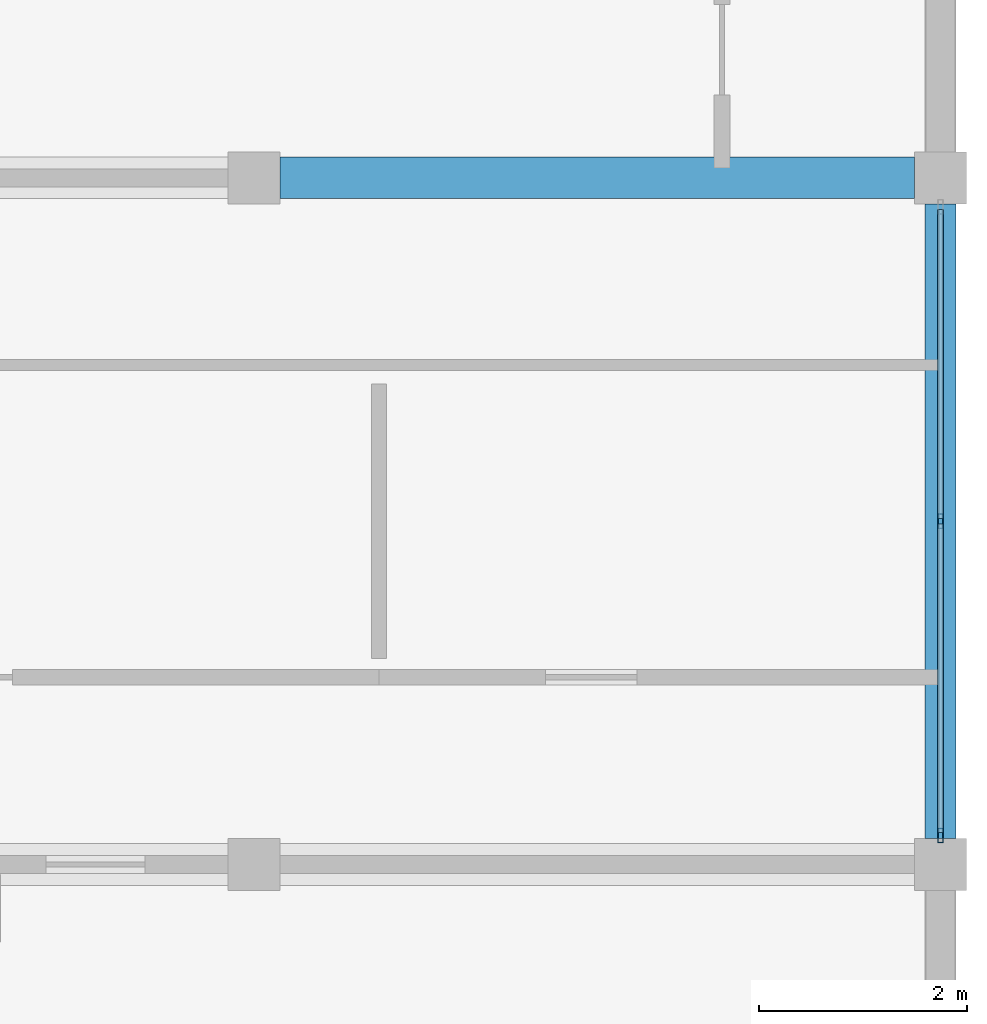
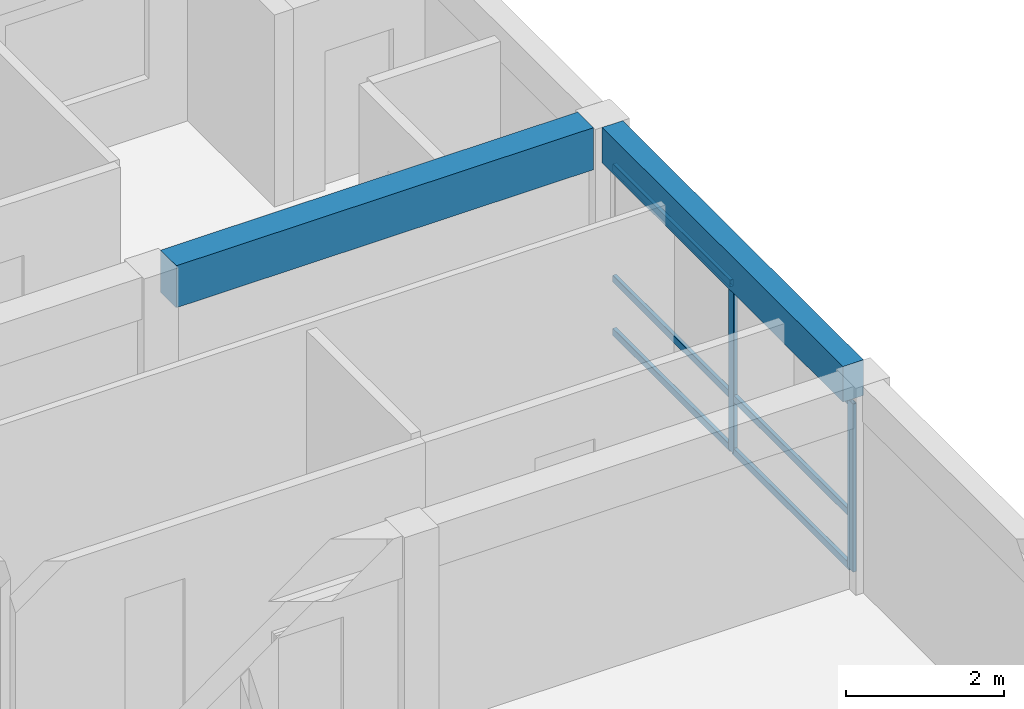
# One storey, part 22 of 49: 8 members, 2 beams, 1 element without a shape of its own.
"""IFC4 building model written with IfcOpenShell, lengths in metres."""

import ifcopenshell
import ifcopenshell.guid

model = None  # the IFC model being written
_history = None  # IfcOwnerHistory: only IFC2X3 demands one
_inside = {}  # id of a spatial element -> (the spatial element, [elements in it])
_under = {}  # id of a project, library or spatial element -> (it, [spatial elements below it])
_declared = {}  # id of a project -> (the project, [libraries it declares])
_typed = {}  # id of a type object -> (the type object, [elements of that type])
_made_of = {}  # id of a material, layer set ... -> (it, [elements and type objects made of it])


def new_model(schema):
    """Start an empty IFC model of exactly this schema.

    Asked for "IFC4X3", IfcOpenShell would pick the latest addendum, in which some entities
    have other attributes; the version numbers below select the first issue.
    IFC2X3 requires an IfcOwnerHistory on every rooted entity: one is made here for all.
    """
    global model, _history
    if schema == "IFC4X3":
        model = ifcopenshell.file(schema_version=(4, 3, 0, 0))
    else:
        model = ifcopenshell.file(schema=schema)
    _inside.clear()
    _under.clear()
    _declared.clear()
    _typed.clear()
    _made_of.clear()
    _history = None
    if model.schema == "IFC2X3":
        org = make("IfcOrganization", Name="unknown")
        user = make(
            "IfcPersonAndOrganization",
            ThePerson=make("IfcPerson", FamilyName="unknown"),
            TheOrganization=org,
        )
        app = make(
            "IfcApplication",
            ApplicationDeveloper=org,
            Version="unknown",
            ApplicationFullName="unknown",
            ApplicationIdentifier="unknown",
        )
        _history = make(
            "IfcOwnerHistory",
            OwningUser=user,
            OwningApplication=app,
            ChangeAction="ADDED",
            CreationDate=0,
        )
    return model


def make(cls, **values):
    """One entity of the class cls with the attributes given. An attribute that is None is left unset."""
    return model.create_entity(
        cls, **{name: value for name, value in values.items() if value is not None}
    )


def rooted(cls, **values):
    """An entity with a GlobalId (a new one), such as an element, a storey or a relation."""
    return make(cls, GlobalId=ifcopenshell.guid.new(), OwnerHistory=_history, **values)


def si_unit(unit_type, name, prefix=None):
    """IfcSIUnit, for example si_unit("LENGTHUNIT", "METRE", prefix="MILLI")."""
    return make("IfcSIUnit", UnitType=unit_type, Prefix=prefix, Name=name)


def assignment(units):
    """IfcUnitAssignment: the units of a project."""
    return None if units is None else make("IfcUnitAssignment", Units=units)


def point(xyz):
    """IfcCartesianPoint."""
    return None if xyz is None else make("IfcCartesianPoint", Coordinates=xyz)


def direction(xyz):
    """IfcDirection."""
    return None if xyz is None else make("IfcDirection", DirectionRatios=xyz)


def frame(location, z_axis=None, x_axis=None):
    """IfcAxis2Placement3D, a coordinate frame: its origin and axes. An axis left out is left unset."""
    return make(
        "IfcAxis2Placement3D",
        Location=point(location),
        Axis=direction(z_axis),
        RefDirection=direction(x_axis),
    )


def frame_2d(location, x_axis=None):
    """IfcAxis2Placement2D, a coordinate frame in the plane: its origin and x axis."""
    return make(
        "IfcAxis2Placement2D", Location=point(location), RefDirection=direction(x_axis)
    )


def origin():
    """The frame at (0, 0, 0) with its axes left unset."""
    return frame((0.0, 0.0, 0.0))


def origin_2d():
    """The frame at (0, 0) in the plane with its x axis left unset."""
    return frame_2d((0.0, 0.0))


def place(relative_to, where):
    """IfcLocalPlacement: puts the frame where relative to a parent placement (None: the world)."""
    return make(
        "IfcLocalPlacement", PlacementRelTo=relative_to, RelativePlacement=where
    )


def context(
    kind, dimensions, precision=None, world=None, true_north=None, identifier=None
):
    """IfcGeometricRepresentationContext, for example the 3D "Model" context."""
    return make(
        "IfcGeometricRepresentationContext",
        ContextIdentifier=identifier,
        ContextType=kind,
        CoordinateSpaceDimension=dimensions,
        Precision=precision,
        WorldCoordinateSystem=world,
        TrueNorth=true_north,
    )


def subcontext(parent, identifier, kind, view, scale=None):
    """IfcGeometricRepresentationSubContext, for example "Body" below "Model"."""
    return make(
        "IfcGeometricRepresentationSubContext",
        ContextIdentifier=identifier,
        ContextType=kind,
        ParentContext=parent,
        TargetScale=scale,
        TargetView=view,
    )


def project(units=None, contexts=None):
    """IfcProject with its units and contexts."""
    return rooted(
        "IfcProject",
        Name="project",
        RepresentationContexts=contexts,
        UnitsInContext=assignment(units),
    )


def spatial(cls, under=None, at=None, **own):
    """A site, building, storey or space (cls), placed at a placement, below another one or the project."""
    s = rooted(cls, ObjectPlacement=at, **own)
    if under is not None:
        _under.setdefault(under.id(), (under, []))[1].append(s)
    return s


def profile(cls, at=None, kind="AREA", **sizes):
    """A parametric profile (cls). Its sizes go by their IFC names, for example OverallWidth=200.0."""
    return make(cls, ProfileType=kind, Position=at, **sizes)


def rectangle(**sizes):
    """IfcRectangleProfileDef."""
    return profile("IfcRectangleProfileDef", **sizes)


def hollow_rectangle(**sizes):
    """IfcRectangleHollowProfileDef."""
    return profile("IfcRectangleHollowProfileDef", **sizes)


def extrude(swept, where, along, depth):
    """IfcExtrudedAreaSolid: the profile swept, set in the frame where, extruded along a direction by depth."""
    return make(
        "IfcExtrudedAreaSolid",
        SweptArea=swept,
        Position=where,
        ExtrudedDirection=direction(along),
        Depth=depth,
    )


def shape(context_of_items, identifier, shape_type, items):
    """IfcShapeRepresentation: the items that make up one representation, for example the "Body"."""
    return make(
        "IfcShapeRepresentation",
        ContextOfItems=context_of_items,
        RepresentationIdentifier=identifier,
        RepresentationType=shape_type,
        Items=items,
    )


def material(Name=None, Category=None):
    """IfcMaterial."""
    return make("IfcMaterial", Name=Name, Category=Category)


def material_profile(
    of_material, cross_section, Name=None, Category=None, Priority=None
):
    """IfcMaterialProfile: a cross section and its material."""
    return make(
        "IfcMaterialProfile",
        Name=Name,
        Material=of_material,
        Profile=cross_section,
        Priority=Priority,
        Category=Category,
    )


def profile_set(profiles, Name=None, composite=None):
    """IfcMaterialProfileSet."""
    return make(
        "IfcMaterialProfileSet",
        Name=Name,
        MaterialProfiles=profiles,
        CompositeProfile=composite,
    )


def made_of(thing, what):
    """Note that an element or type object is made of a material, layer set ...; save() writes the relation."""
    if what is not None:
        _made_of.setdefault(what.id(), (what, []))[1].append(thing)
    return thing


def type_object(cls, material=None, **own):
    """A type object (cls), such as IfcWallType, which elements share."""
    return made_of(rooted(cls, **own), material)


def element(
    cls,
    number,
    at=None,
    inside=None,
    cuts=None,
    type_object=None,
    material=None,
    context=None,
    identifier="Body",
    shape_type=None,
    held_by="IfcProductDefinitionShape",
    body=None,
    shapes=None,
    **own,
):
    """One element of the class cls, such as IfcWall. Its Tag is "e" and its number.

    at: its placement. inside: the storey or other place that contains it. cuts: it is an
    opening in that element (IfcRelVoidsElement). A single representation is given by context,
    identifier, shape_type and body (its items); several are given by shapes. held_by: the class
    of the entity that holds the representations. save() writes the other relations.
    """
    e = rooted(cls, Tag="e%d" % number, ObjectPlacement=at, **own)
    if body is not None:
        shapes = [shape(context, identifier, shape_type, body)]
    if shapes is not None:
        e.Representation = make(held_by, Representations=shapes)
    if inside is not None:
        _inside.setdefault(inside.id(), (inside, []))[1].append(e)
    if cuts is not None:
        rooted(
            "IfcRelVoidsElement", RelatingBuildingElement=cuts, RelatedOpeningElement=e
        )
    if type_object is not None:
        _typed.setdefault(type_object.id(), (type_object, []))[1].append(e)
    return made_of(e, material)


def aggregate(whole, parts):
    """IfcRelAggregates: a whole, such as a stair, and the parts it consists of."""
    return rooted("IfcRelAggregates", RelatingObject=whole, RelatedObjects=parts)


def save(model, path):
    """Write the relations noted so far, then the file.

    IfcRelAggregates (storeys below a building ...), IfcRelContainedInSpatialStructure (elements
    in a storey), IfcRelDefinesByType, IfcRelAssociatesMaterial and IfcRelDeclares: one each for
    every whole, place, type object, material and project.
    """
    for whole, parts in _under.values():
        aggregate(whole, parts)
    for where, things in _inside.values():
        rooted(
            "IfcRelContainedInSpatialStructure",
            RelatedElements=things,
            RelatingStructure=where,
        )
    for kind, things in _typed.values():
        rooted("IfcRelDefinesByType", RelatedObjects=things, RelatingType=kind)
    for what, things in _made_of.values():
        rooted("IfcRelAssociatesMaterial", RelatedObjects=things, RelatingMaterial=what)
    for by, libraries in _declared.values():
        rooted("IfcRelDeclares", RelatingContext=by, RelatedDefinitions=libraries)
    model.write(path)


model = new_model("IFC4")

# Units and contexts
model_context = context("Model", 3, precision=1e-05, world=origin(), true_north=direction((0.0, 1.0)))
body_context = subcontext(model_context, "Body", "Model", "MODEL_VIEW")
ifc_project = project(units=[si_unit("LENGTHUNIT", "METRE"), si_unit("AREAUNIT", "SQUARE_METRE"), si_unit("VOLUMEUNIT", "CUBIC_METRE"), si_unit("PLANEANGLEUNIT", "RADIAN"), si_unit("MASSUNIT", "GRAM", prefix="KILO")], contexts=[model_context])

# Site, building, storey
site_placement = place(None, origin())
site = spatial("IfcSite", under=ifc_project, at=site_placement, CompositionType="ELEMENT")
building_placement = place(site_placement, origin())
building = spatial("IfcBuilding", under=site, at=building_placement, Name="Kernevlak Ridge Housing Community", CompositionType="ELEMENT")
storey_placement = place(building_placement, frame((0.0, 0.0, 30.800048828125)))
storey = spatial("IfcBuildingStorey", under=building, at=storey_placement, Name="L09", CompositionType="ELEMENT", Elevation=30.800048828125)

# Beam
ifc_material_1 = material(Name="Concrete C35/45", Category="concrete")
ifc_material_profile_1 = material_profile(ifc_material_1, rectangle(XDim=0.39990234375, YDim=0.64990234375, at=origin_2d()), Name="RC 400x650")
ifc_profile_set_1 = profile_set([ifc_material_profile_1], Name="Concrete C35/45")
beam_type_1 = type_object("IfcBeamType", Name="B-03", PredefinedType="T_BEAM", material=ifc_profile_set_1)
beam_1_placement = place(storey_placement, frame((146.050048828125, 95.800048828125, 2.875), z_axis=(1.0, 0.0, 0.0), x_axis=(0.0, 1.0, 0.0)))
element("IfcBeam", 1, at=beam_1_placement, inside=storey, type_object=beam_type_1, Name="Beam B-03 L09 825", PredefinedType="T_BEAM", context=body_context, shape_type="SweptSolid", body=[
    extrude(rectangle(XDim=0.39990234375, YDim=0.64990234375, at=origin_2d()), origin(), (0.0, 0.0, 1.0), 6.099853515625),
])

# Curtain wall, members
ifc_material_2 = material(Name="Aluminium EN AW-6060 anodised and laminated glass", Category="aluminium")
curtain_wall_type = type_object("IfcCurtainWallType", Name="CW-13", PredefinedType="NOTDEFINED", material=ifc_material_2)
curtain_wall_placement = place(storey_placement, origin())
curtain_wall = element("IfcCurtainWall", 2, at=curtain_wall_placement, inside=storey, type_object=curtain_wall_type, Name="Curtain wall CW-13 CW-L09-084", PredefinedType="NOTDEFINED")
ifc_material_3 = material(Name="Aluminium EN AW-6060 anodised", Category="aluminium")
ifc_material_profile_2 = material_profile(ifc_material_3, hollow_rectangle(XDim=0.054931640625, YDim=0.139892578125, WallThickness=0.00390625, InnerFilletRadius=0.001953125, OuterFilletRadius=0.00390625, at=origin_2d()), Name="ALU 55x140x4")
ifc_profile_set_2 = profile_set([ifc_material_profile_2], Name="Aluminium EN AW-6060 anodised")
member_type_1 = type_object("IfcMemberType", Name="MU-01", PredefinedType="MULLION", material=ifc_profile_set_2)
member_1_placement = place(storey_placement, frame((152.39990234375, 89.4775390625, 0.0), z_axis=(0.0, 0.0, 1.0), x_axis=(-1.0, 0.0, 0.0)))
member_1 = element("IfcMember", 3, at=member_1_placement, type_object=member_type_1, Name="CW-13 mullion 1", PredefinedType="MULLION", context=body_context, shape_type="SweptSolid", body=[
    extrude(hollow_rectangle(XDim=0.054931640625, YDim=0.139892578125, WallThickness=0.00390625, InnerFilletRadius=0.001953125, OuterFilletRadius=0.00390625, at=origin_2d()), origin(), (0.0, 0.0, 1.0), 2.599853515625),
])
member_2_placement = place(storey_placement, frame((152.39990234375, 92.5, 0.0), z_axis=(0.0, 0.0, 1.0), x_axis=(-1.0, 0.0, 0.0)))
member_2 = element("IfcMember", 4, at=member_2_placement, type_object=member_type_1, Name="CW-13 mullion 2", PredefinedType="MULLION", context=body_context, shape_type="SweptSolid", body=[
    extrude(hollow_rectangle(XDim=0.054931640625, YDim=0.139892578125, WallThickness=0.00390625, InnerFilletRadius=0.001953125, OuterFilletRadius=0.00390625, at=origin_2d()), origin(), (0.0, 0.0, 1.0), 2.599853515625),
])

# Beam
ifc_material_profile_3 = material_profile(ifc_material_1, rectangle(XDim=0.300048828125, YDim=0.550048828125, at=origin_2d()), Name="RC 300x550")
ifc_profile_set_3 = profile_set([ifc_material_profile_3], Name="Concrete C35/45")
beam_type_2 = type_object("IfcBeamType", Name="SP-01", PredefinedType="SPANDREL", material=ifc_profile_set_3)
beam_2_placement = place(storey_placement, frame((152.39990234375, 89.449951171875, 2.925048828125), z_axis=(0.0, 1.0, 0.0), x_axis=(-1.0, 0.0, 0.0)))
element("IfcBeam", 5, at=beam_2_placement, inside=storey, type_object=beam_type_2, Name="Beam SP-01 L09 835", PredefinedType="SPANDREL", context=body_context, shape_type="SweptSolid", body=[
    extrude(rectangle(XDim=0.300048828125, YDim=0.550048828125, at=origin_2d()), origin(), (0.0, 0.0, 1.0), 6.10009765625),
])

# Member
ifc_material_profile_4 = material_profile(ifc_material_3, hollow_rectangle(XDim=0.054931640625, YDim=0.110107421875, WallThickness=0.00390625, InnerFilletRadius=0.001953125, OuterFilletRadius=0.00390625, at=origin_2d()), Name="ALU 55x110x4")
ifc_profile_set_4 = profile_set([ifc_material_profile_4], Name="Aluminium EN AW-6060 anodised")
member_type_2 = type_object("IfcMemberType", Name="TM-01", PredefinedType="USERDEFINED", material=ifc_profile_set_4)
member_3_placement = place(storey_placement, frame((152.39990234375, 89.5048828125, 0.02734375), z_axis=(0.0, 1.0, 0.0), x_axis=(-1.0, 0.0, 0.0)))
member_3 = element("IfcMember", 6, at=member_3_placement, type_object=member_type_2, Name="CW-13 transom 1.1", ObjectType="TRANSOM", PredefinedType="USERDEFINED", context=body_context, shape_type="SweptSolid", body=[
    extrude(hollow_rectangle(XDim=0.054931640625, YDim=0.110107421875, WallThickness=0.00390625, InnerFilletRadius=0.001953125, OuterFilletRadius=0.00390625, at=origin_2d()), origin(), (0.0, 0.0, 1.0), 2.967529296875),
])

member_4_placement = place(storey_placement, frame((152.39990234375, 89.5048828125, 0.849853515625), z_axis=(0.0, 1.0, 0.0), x_axis=(-1.0, 0.0, 0.0)))
member_4 = element("IfcMember", 7, at=member_4_placement, type_object=member_type_2, Name="CW-13 transom 1.2", ObjectType="TRANSOM", PredefinedType="USERDEFINED", context=body_context, shape_type="SweptSolid", body=[
    extrude(hollow_rectangle(XDim=0.054931640625, YDim=0.110107421875, WallThickness=0.00390625, InnerFilletRadius=0.001953125, OuterFilletRadius=0.00390625, at=origin_2d()), origin(), (0.0, 0.0, 1.0), 2.967529296875),
])

member_5_placement = place(storey_placement, frame((152.39990234375, 89.5048828125, 2.572509765625), z_axis=(0.0, 1.0, 0.0), x_axis=(-1.0, 0.0, 0.0)))
member_5 = element("IfcMember", 8, at=member_5_placement, type_object=member_type_2, Name="CW-13 transom 1.3", ObjectType="TRANSOM", PredefinedType="USERDEFINED", context=body_context, shape_type="SweptSolid", body=[
    extrude(hollow_rectangle(XDim=0.054931640625, YDim=0.110107421875, WallThickness=0.00390625, InnerFilletRadius=0.001953125, OuterFilletRadius=0.00390625, at=origin_2d()), origin(), (0.0, 0.0, 1.0), 2.967529296875),
])

member_6_placement = place(storey_placement, frame((152.39990234375, 92.527587890625, 0.02734375), z_axis=(0.0, 1.0, 0.0), x_axis=(-1.0, 0.0, 0.0)))
member_6 = element("IfcMember", 9, at=member_6_placement, type_object=member_type_2, Name="CW-13 transom 2.1", ObjectType="TRANSOM", PredefinedType="USERDEFINED", context=body_context, shape_type="SweptSolid", body=[
    extrude(hollow_rectangle(XDim=0.054931640625, YDim=0.110107421875, WallThickness=0.00390625, InnerFilletRadius=0.001953125, OuterFilletRadius=0.00390625, at=origin_2d()), origin(), (0.0, 0.0, 1.0), 2.967529296875),
])

member_7_placement = place(storey_placement, frame((152.39990234375, 92.527587890625, 0.849853515625), z_axis=(0.0, 1.0, 0.0), x_axis=(-1.0, 0.0, 0.0)))
member_7 = element("IfcMember", 10, at=member_7_placement, type_object=member_type_2, Name="CW-13 transom 2.2", ObjectType="TRANSOM", PredefinedType="USERDEFINED", context=body_context, shape_type="SweptSolid", body=[
    extrude(hollow_rectangle(XDim=0.054931640625, YDim=0.110107421875, WallThickness=0.00390625, InnerFilletRadius=0.001953125, OuterFilletRadius=0.00390625, at=origin_2d()), origin(), (0.0, 0.0, 1.0), 2.967529296875),
])

member_8_placement = place(storey_placement, frame((152.39990234375, 92.527587890625, 2.572509765625), z_axis=(0.0, 1.0, 0.0), x_axis=(-1.0, 0.0, 0.0)))
member_8 = element("IfcMember", 11, at=member_8_placement, type_object=member_type_2, Name="CW-13 transom 2.3", ObjectType="TRANSOM", PredefinedType="USERDEFINED", context=body_context, shape_type="SweptSolid", body=[
    extrude(hollow_rectangle(XDim=0.054931640625, YDim=0.110107421875, WallThickness=0.00390625, InnerFilletRadius=0.001953125, OuterFilletRadius=0.00390625, at=origin_2d()), origin(), (0.0, 0.0, 1.0), 2.967529296875),
])

aggregate(curtain_wall, [member_1, member_2, member_3, member_4, member_5, member_6, member_7, member_8])

save(model, "model.ifc")
